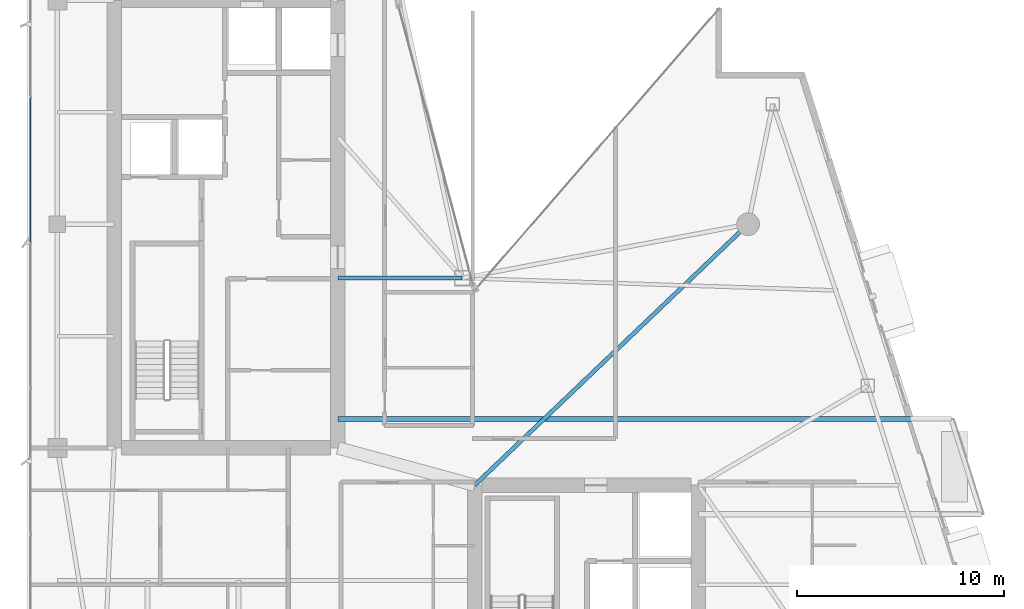
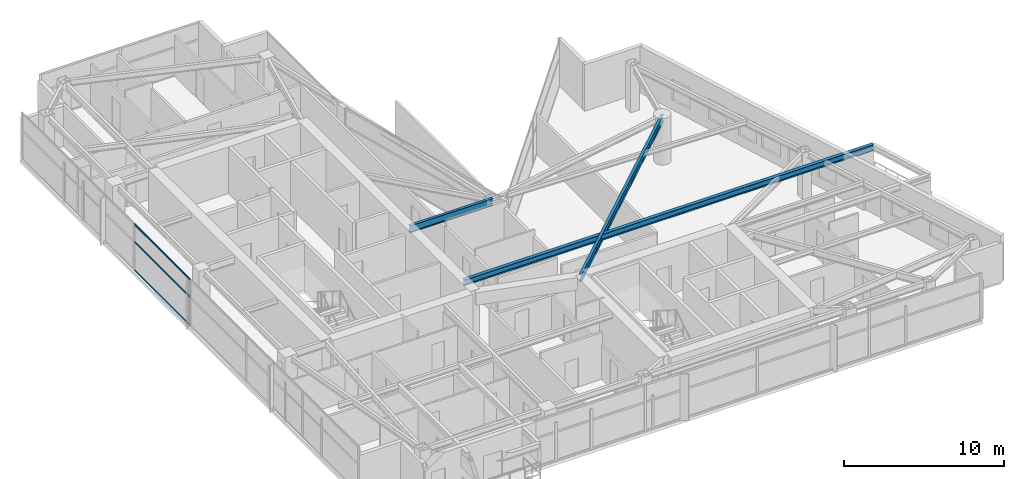
# One storey, part 10 of 29: 3 beams, 3 members, 1 element without a shape of its own.
"""IFC4 building model written with IfcOpenShell, lengths in metres."""

from ifc_helpers import new_model, si_unit, direction, frame, origin, origin_2d, place, context, subcontext, project, spatial, hollow_rectangle, i_section, extrude, material, layer, layer_set, material_profile, profile_set, type_object, element, aggregate, save


model = new_model("IFC4")

# Units and contexts
model_context = context("Model", 3, precision=1e-05, world=origin(), true_north=direction((0.0, 1.0)))
body_context = subcontext(model_context, "Body", "Model", "MODEL_VIEW")
ifc_project = project(units=[si_unit("LENGTHUNIT", "METRE"), si_unit("AREAUNIT", "SQUARE_METRE"), si_unit("VOLUMEUNIT", "CUBIC_METRE"), si_unit("PLANEANGLEUNIT", "RADIAN"), si_unit("MASSUNIT", "GRAM", prefix="KILO")], contexts=[model_context])

# Site, building, storey
site_placement = place(None, origin())
site = spatial("IfcSite", under=ifc_project, at=site_placement, CompositionType="ELEMENT")
building_placement = place(site_placement, origin())
building = spatial("IfcBuilding", under=site, at=building_placement, Name="Calvorn Quay Hotel", CompositionType="ELEMENT")
storey_placement = place(building_placement, frame((0.0, 0.0, 247.60009765625)))
storey = spatial("IfcBuildingStorey", under=building, at=storey_placement, Name="L61", CompositionType="ELEMENT", Elevation=247.60009765625)

# Beams
ifc_material_1 = material(Name="Steel Q355B", Category="steel")
ifc_material_profile_1 = material_profile(ifc_material_1, i_section(OverallWidth=0.25, OverallDepth=0.449951171875, WebThickness=0.011962890625, FlangeThickness=0.01611328125, FilletRadius=0.01611328125, at=origin_2d()), Name="HN450x250x12x16")
ifc_profile_set_1 = profile_set([ifc_material_profile_1], Name="Steel Q355B")
beam_type_1 = type_object("IfcBeamType", Name="BM-CANT-BALC", PredefinedType="BEAM", material=ifc_profile_set_1)
beam_1_placement = place(storey_placement, frame((15.0, 18.199951171875, 3.31494140625), z_axis=(1.0, 0.0, 0.0), x_axis=(0.0, 1.0, 0.0)))
element("IfcBeam", 1, at=beam_1_placement, inside=storey, type_object=beam_type_1, Name="Cantilever Balcony Beam BCB-L62-1B", PredefinedType="BEAM", context=body_context, shape_type="SweptSolid", body=[
    extrude(i_section(OverallWidth=0.25, OverallDepth=0.449951171875, WebThickness=0.011962890625, FlangeThickness=0.01611328125, FilletRadius=0.01611328125, at=origin_2d()), origin(), (0.0, 0.0, 1.0), 29.6201171875),
])
ifc_material_2 = material(Name="Steel Q355B", Category="steel")
ifc_material_profile_2 = material_profile(ifc_material_2, i_section(OverallWidth=0.199951171875, OverallDepth=0.550048828125, WebThickness=0.010009765625, FlangeThickness=0.01611328125, FilletRadius=0.01806640625, at=origin_2d()), Name="HN550x200x10x16")
ifc_profile_set_2 = profile_set([ifc_material_profile_2], Name="Steel Q355B")
beam_type_2 = type_object("IfcBeamType", Name="BM-GIRD-UPP", PredefinedType="BEAM", material=ifc_profile_set_2)
beam_2_placement = place(storey_placement, frame((21.0, 25.0, 3.264892578125), z_axis=(-1.0, 0.0, 0.0), x_axis=(0.0, -1.0, 0.0)))
element("IfcBeam", 2, at=beam_2_placement, inside=storey, type_object=beam_type_2, Name="Beam BG-L61-W7", PredefinedType="BEAM", context=body_context, shape_type="SweptSolid", body=[
    extrude(i_section(OverallWidth=0.199951171875, OverallDepth=0.550048828125, WebThickness=0.010009765625, FlangeThickness=0.01611328125, FilletRadius=0.01806640625, at=origin_2d()), origin(), (0.0, 0.0, 1.0), 6.0),
])
beam_3_placement = place(storey_placement, frame((21.60009765625, 15.0, 3.264892578125), z_axis=(0.723351595578, 0.690479883252, 0.0), x_axis=(-0.690479883252, 0.723351595578, 0.0)))
element("IfcBeam", 3, at=beam_3_placement, inside=storey, type_object=beam_type_2, Name="Beam BG-L61-E4", PredefinedType="BEAM", context=body_context, shape_type="SweptSolid", body=[
    extrude(i_section(OverallWidth=0.199951171875, OverallDepth=0.550048828125, WebThickness=0.010009765625, FlangeThickness=0.01611328125, FilletRadius=0.01806640625, at=origin_2d()), origin(), (0.0, 0.0, 1.0), 18.248291015625),
])

# Curtain wall, members
ifc_material_3 = material(Name="Champagne Bronze Anodised Aluminium and Low-E Glass", Category="aluminium")
ifc_layer = layer(ifc_material_3, 0.219970703125)
ifc_layer_set = layer_set([ifc_layer], Name="CW-SYS-Z4")
curtain_wall_type = type_object("IfcCurtainWallType", Name="CW-SYS-Z4", PredefinedType="NOTDEFINED", material=ifc_layer_set)
curtain_wall_placement = place(storey_placement, origin())
curtain_wall = element("IfcCurtainWall", 4, at=curtain_wall_placement, inside=storey, type_object=curtain_wall_type, Name="Tower West Curtain Wall (L61)", PredefinedType="NOTDEFINED")
ifc_material_4 = material(Name="Champagne Bronze Anodised Aluminium 6063-T6", Category="aluminium")
ifc_material_profile_3 = material_profile(ifc_material_4, hollow_rectangle(XDim=0.054931640625, YDim=0.1298828125, WallThickness=0.003173828125, at=origin_2d()), Name="ALU-T130x55x3.2")
ifc_profile_set_3 = profile_set([ifc_material_profile_3], Name="Champagne Bronze Anodised Aluminium 6063-T6")
member_type = type_object("IfcMemberType", Name="CW-SYS-Z4-TRN", PredefinedType="USERDEFINED", material=ifc_profile_set_3)
member_1_placement = place(storey_placement, frame((0.14990234375, 26.72998046875, 0.02978515625), z_axis=(0.0, 1.0, 0.0), x_axis=(-1.0, 0.0, 0.0)))
member_1 = element("IfcMember", 5, at=member_1_placement, type_object=member_type, Name="CW-L61-W transom 4.1", ObjectType="TRANSOM", PredefinedType="USERDEFINED", context=body_context, shape_type="SweptSolid", body=[
    extrude(hollow_rectangle(XDim=0.054931640625, YDim=0.1298828125, WallThickness=0.003173828125, at=origin_2d()), origin(), (0.0, 0.0, 1.0), 6.973388671875),
])
member_2_placement = place(storey_placement, frame((0.14990234375, 26.72998046875, 2.199951171875), z_axis=(0.0, 1.0, 0.0), x_axis=(-1.0, 0.0, 0.0)))
member_2 = element("IfcMember", 6, at=member_2_placement, type_object=member_type, Name="CW-L61-W transom 4.2", ObjectType="TRANSOM", PredefinedType="USERDEFINED", context=body_context, shape_type="SweptSolid", body=[
    extrude(hollow_rectangle(XDim=0.054931640625, YDim=0.1298828125, WallThickness=0.003173828125, at=origin_2d()), origin(), (0.0, 0.0, 1.0), 6.973388671875),
])
member_3_placement = place(storey_placement, frame((0.14990234375, 26.72998046875, 3.52978515625), z_axis=(0.0, 1.0, 0.0), x_axis=(-1.0, 0.0, 0.0)))
member_3 = element("IfcMember", 7, at=member_3_placement, type_object=member_type, Name="CW-L61-W transom 4.3", ObjectType="TRANSOM", PredefinedType="USERDEFINED", context=body_context, shape_type="SweptSolid", body=[
    extrude(hollow_rectangle(XDim=0.054931640625, YDim=0.1298828125, WallThickness=0.003173828125, at=origin_2d()), origin(), (0.0, 0.0, 1.0), 6.973388671875),
])
aggregate(curtain_wall, [member_1, member_2, member_3])

save(model, "model.ifc")
